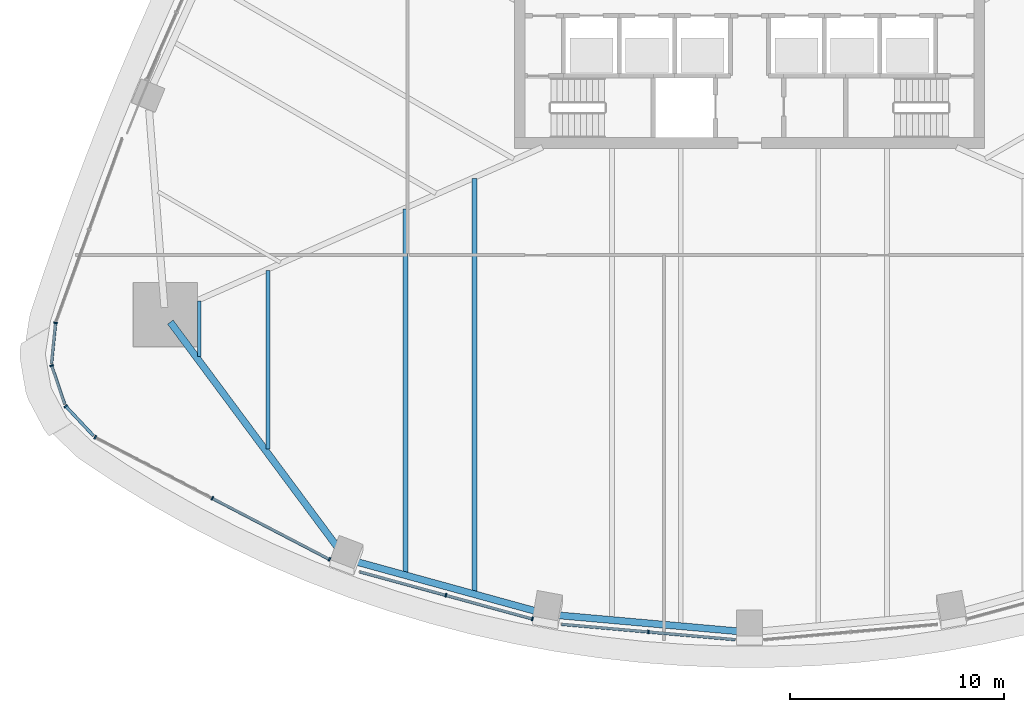
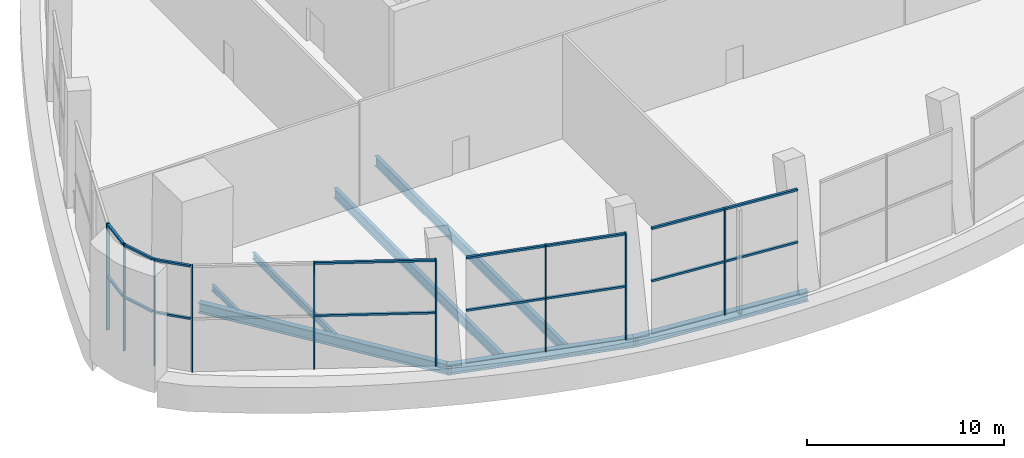
# One storey, part 2 of 23: 25 members, 7 beams, 6 elements without a shape of their own.
"""IFC4 building model written with IfcOpenShell, lengths in metres."""

from ifc_helpers import new_model, si_unit, direction, frame, origin, origin_2d, place, context, subcontext, project, spatial, rectangle, i_section, extrude, material, layer, layer_set, material_profile, profile_set, type_object, element, aggregate, save


model = new_model("IFC4")

# Units and contexts
model_context = context("Model", 3, precision=1e-05, world=origin(), true_north=direction((0.0, 1.0)))
body_context = subcontext(model_context, "Body", "Model", "MODEL_VIEW")
ifc_project = project(units=[si_unit("LENGTHUNIT", "METRE"), si_unit("AREAUNIT", "SQUARE_METRE"), si_unit("VOLUMEUNIT", "CUBIC_METRE"), si_unit("PLANEANGLEUNIT", "RADIAN"), si_unit("MASSUNIT", "GRAM", prefix="KILO")], contexts=[model_context])

# Site, building, storey
site_placement = place(None, origin())
site = spatial("IfcSite", under=ifc_project, at=site_placement, CompositionType="ELEMENT")
building_placement = place(site_placement, origin())
building = spatial("IfcBuilding", under=site, at=building_placement, Name="Sierra Prisma Convention Tower", CompositionType="ELEMENT")
storey_placement = place(building_placement, frame((0.0, 0.0, 40.800048828125)))
storey = spatial("IfcBuildingStorey", under=building, at=storey_placement, Name="L06", CompositionType="ELEMENT", Elevation=40.800048828125)

# Curtain wall, members
ifc_material_1 = material(Name="Aluminium and glass curtain wall", Category="aluminium")
ifc_layer = layer(ifc_material_1, 0.179931640625)
ifc_layer_set = layer_set([ifc_layer], Name="CW-4 Sky lobby double-height curtain wall")
curtain_wall_type = type_object("IfcCurtainWallType", Name="CW-4 Sky lobby double-height curtain wall", PredefinedType="NOTDEFINED", material=ifc_layer_set)
curtain_wall_1_placement = place(storey_placement, origin())
curtain_wall_1 = element("IfcCurtainWall", 1, at=curtain_wall_1_placement, inside=storey, type_object=curtain_wall_type, Name="CW-4 S1 L06", PredefinedType="NOTDEFINED")
ifc_material_2 = material(Name="Aluminium 6063-T6 bronze anodised", Category="aluminium")
ifc_material_profile_1 = material_profile(ifc_material_2, rectangle(XDim=0.179931640625, YDim=0.070068359375, at=origin_2d()), Name="ALU MULLION 70x180")
ifc_profile_set_1 = profile_set([ifc_material_profile_1], Name="Aluminium 6063-T6 bronze anodised")
member_type_1 = type_object("IfcMemberType", Name="CW mullion bronze", PredefinedType="MULLION", material=ifc_profile_set_1)
member_1_placement = place(storey_placement, frame((-30.617431640625, -21.523193359375, 0.0), z_axis=(0.0, 0.0, 1.0), x_axis=(0.462150644342, 0.886801433205, 0.0)))
member_1 = element("IfcMember", 2, at=member_1_placement, type_object=member_type_1, Name="CW-4 mullion S1.1", PredefinedType="MULLION", context=body_context, shape_type="SweptSolid", body=[
    extrude(rectangle(XDim=0.179931640625, YDim=0.070068359375, at=origin_2d()), origin(), (0.0, 0.0, 1.0), 6.599853515625),
])
member_2_placement = place(storey_placement, frame((-25.136474609375, -24.37939453125, 0.0), z_axis=(0.0, 0.0, 1.0), x_axis=(0.462150644342, 0.886801433205, 0.0)))
member_2 = element("IfcMember", 3, at=member_2_placement, type_object=member_type_1, Name="CW-4 mullion S1.2", PredefinedType="MULLION", context=body_context, shape_type="SweptSolid", body=[
    extrude(rectangle(XDim=0.179931640625, YDim=0.070068359375, at=origin_2d()), origin(), (0.0, 0.0, 1.0), 6.599853515625),
])
member_3_placement = place(storey_placement, frame((-19.655517578125, -27.23583984375, 0.0), z_axis=(0.0, 0.0, 1.0), x_axis=(0.462150644342, 0.886801433205, 0.0)))
member_3 = element("IfcMember", 4, at=member_3_placement, type_object=member_type_1, Name="CW-4 mullion S1.3", PredefinedType="MULLION", context=body_context, shape_type="SweptSolid", body=[
    extrude(rectangle(XDim=0.179931640625, YDim=0.070068359375, at=origin_2d()), origin(), (0.0, 0.0, 1.0), 6.599853515625),
])

curtain_wall_2_placement = place(storey_placement, origin())
curtain_wall_2 = element("IfcCurtainWall", 5, at=curtain_wall_2_placement, inside=storey, type_object=curtain_wall_type, Name="CW-4 S2 L06", PredefinedType="NOTDEFINED")
member_4_placement = place(storey_placement, frame((-14.2109375, -28.9169921875, 0.0), z_axis=(0.0, 0.0, 1.0), x_axis=(0.263456451003, 0.96467129035, 0.0)))
member_4 = element("IfcMember", 6, at=member_4_placement, type_object=member_type_1, Name="CW-4 mullion S2.2", PredefinedType="MULLION", context=body_context, shape_type="SweptSolid", body=[
    extrude(rectangle(XDim=0.179931640625, YDim=0.070068359375, at=origin_2d()), origin(), (0.0, 0.0, 1.0), 6.599853515625),
])
member_5_placement = place(storey_placement, frame((-10.161376953125, -30.02294921875, 0.0), z_axis=(0.0, 0.0, 1.0), x_axis=(0.263456451003, 0.96467129035, 0.0)))
member_5 = element("IfcMember", 7, at=member_5_placement, type_object=member_type_1, Name="CW-4 mullion S2.3", PredefinedType="MULLION", context=body_context, shape_type="SweptSolid", body=[
    extrude(rectangle(XDim=0.179931640625, YDim=0.070068359375, at=origin_2d()), origin(), (0.0, 0.0, 1.0), 6.599853515625),
])

# Curtain wall, member
curtain_wall_3_placement = place(storey_placement, origin())
curtain_wall_3 = element("IfcCurtainWall", 8, at=curtain_wall_3_placement, inside=storey, type_object=curtain_wall_type, Name="CW-4 S3 L06", PredefinedType="NOTDEFINED")
member_6_placement = place(storey_placement, frame((-4.728515625, -30.632568359375, 0.0), z_axis=(0.0, 0.0, 1.0), x_axis=(0.087925727556, 0.996127033281, 0.0)))
member_6 = element("IfcMember", 9, at=member_6_placement, type_object=member_type_1, Name="CW-4 mullion S3.2", PredefinedType="MULLION", context=body_context, shape_type="SweptSolid", body=[
    extrude(rectangle(XDim=0.179931640625, YDim=0.070068359375, at=origin_2d()), origin(), (0.0, 0.0, 1.0), 6.599853515625),
])

curtain_wall_4_placement = place(storey_placement, origin())
curtain_wall_4 = element("IfcCurtainWall", 10, at=curtain_wall_4_placement, inside=storey, type_object=curtain_wall_type, Name="CW-4 SW1 L06", PredefinedType="NOTDEFINED")
member_7_placement = place(storey_placement, frame((-32.474853515625, -16.169921875, 0.0), z_axis=(0.0, 0.0, 1.0), x_axis=(0.995059215605, -0.099283218322, 0.0)))
member_7 = element("IfcMember", 11, at=member_7_placement, type_object=member_type_1, Name="CW-4 mullion SW1.1", PredefinedType="MULLION", context=body_context, shape_type="SweptSolid", body=[
    extrude(rectangle(XDim=0.179931640625, YDim=0.070068359375, at=origin_2d()), origin(), (0.0, 0.0, 1.0), 6.599853515625),
])

curtain_wall_5_placement = place(storey_placement, origin())
curtain_wall_5 = element("IfcCurtainWall", 12, at=curtain_wall_5_placement, inside=storey, type_object=curtain_wall_type, Name="CW-4 SW2 L06", PredefinedType="NOTDEFINED")
member_8_placement = place(storey_placement, frame((-32.65966796875, -18.16943359375, 0.0), z_axis=(0.0, 0.0, 1.0), x_axis=(0.94695672394, 0.321361109945, 0.0)))
member_8 = element("IfcMember", 13, at=member_8_placement, type_object=member_type_1, Name="CW-4 mullion SW2.1", PredefinedType="MULLION", context=body_context, shape_type="SweptSolid", body=[
    extrude(rectangle(XDim=0.179931640625, YDim=0.070068359375, at=origin_2d()), origin(), (0.0, 0.0, 1.0), 6.599853515625),
])

curtain_wall_6_placement = place(storey_placement, origin())
curtain_wall_6 = element("IfcCurtainWall", 14, at=curtain_wall_6_placement, inside=storey, type_object=curtain_wall_type, Name="CW-4 SW3 L06", PredefinedType="NOTDEFINED")
member_9_placement = place(storey_placement, frame((-32.000732421875, -20.066162109375, 0.0), z_axis=(0.0, 0.0, 1.0), x_axis=(0.729107030671, 0.684399691573, 0.0)))
member_9 = element("IfcMember", 15, at=member_9_placement, type_object=member_type_1, Name="CW-4 mullion SW3.1", PredefinedType="MULLION", context=body_context, shape_type="SweptSolid", body=[
    extrude(rectangle(XDim=0.179931640625, YDim=0.070068359375, at=origin_2d()), origin(), (0.0, 0.0, 1.0), 6.599853515625),
])

# Member
ifc_material_3 = material(Name="Aluminium 6063-T6 bronze anodised", Category="aluminium")
ifc_material_profile_2 = material_profile(ifc_material_3, rectangle(XDim=0.139892578125, YDim=0.1201171875, at=origin_2d()), Name="ALU TRANSOM 120x140")
ifc_profile_set_2 = profile_set([ifc_material_profile_2], Name="Aluminium 6063-T6 bronze anodised")
member_type_2 = type_object("IfcMemberType", Name="CW transom bronze", PredefinedType="USERDEFINED", material=ifc_profile_set_2)
member_10_placement = place(storey_placement, frame((-25.10546875, -24.395751953125, 6.5400390625), z_axis=(0.886797765504, -0.462157682072, 0.0), x_axis=(0.462157682072, 0.886797765504, 0.0)))
member_10 = element("IfcMember", 16, at=member_10_placement, type_object=member_type_2, Name="CW-4 transom S1.2", ObjectType="TRANSOM", PredefinedType="USERDEFINED", context=body_context, shape_type="SweptSolid", body=[
    extrude(rectangle(XDim=0.139892578125, YDim=0.1201171875, at=origin_2d()), origin(), (0.0, 0.0, 1.0), 6.1103515625),
])

member_11_placement = place(storey_placement, frame((-25.10546875, -24.395751953125, 3.300048828125), z_axis=(0.886797765504, -0.462157682072, 0.0), x_axis=(0.462157682072, 0.886797765504, 0.0)))
member_11 = element("IfcMember", 17, at=member_11_placement, type_object=member_type_2, Name="CW-4 transom S1.2 mid", ObjectType="TRANSOM", PredefinedType="USERDEFINED", context=body_context, shape_type="SweptSolid", body=[
    extrude(rectangle(XDim=0.139892578125, YDim=0.1201171875, at=origin_2d()), origin(), (0.0, 0.0, 1.0), 6.1103515625),
])

aggregate(curtain_wall_1, [member_1, member_2, member_3, member_10, member_11])

member_12_placement = place(storey_placement, frame((-18.2265625, -27.8203125, 6.5400390625), z_axis=(0.964676413509, -0.263437691341, 0.0), x_axis=(0.263437691341, 0.964676413509, 0.0)))
member_12 = element("IfcMember", 18, at=member_12_placement, type_object=member_type_2, Name="CW-4 transom S2.1", ObjectType="TRANSOM", PredefinedType="USERDEFINED", context=body_context, shape_type="SweptSolid", body=[
    extrude(rectangle(XDim=0.139892578125, YDim=0.1201171875, at=origin_2d()), origin(), (0.0, 0.0, 1.0), 4.127685546875),
])

member_13_placement = place(storey_placement, frame((-18.2265625, -27.8203125, 3.300048828125), z_axis=(0.964676413509, -0.263437691341, 0.0), x_axis=(0.263437691341, 0.964676413509, 0.0)))
member_13 = element("IfcMember", 19, at=member_13_placement, type_object=member_type_2, Name="CW-4 transom S2.1 mid", ObjectType="TRANSOM", PredefinedType="USERDEFINED", context=body_context, shape_type="SweptSolid", body=[
    extrude(rectangle(XDim=0.139892578125, YDim=0.1201171875, at=origin_2d()), origin(), (0.0, 0.0, 1.0), 4.127685546875),
])

member_14_placement = place(storey_placement, frame((-14.17724609375, -28.926025390625, 6.5400390625), z_axis=(0.964665487214, -0.263477698825, 0.0), x_axis=(0.263477698825, 0.964665487214, 0.0)))
member_14 = element("IfcMember", 20, at=member_14_placement, type_object=member_type_2, Name="CW-4 transom S2.2", ObjectType="TRANSOM", PredefinedType="USERDEFINED", context=body_context, shape_type="SweptSolid", body=[
    extrude(rectangle(XDim=0.139892578125, YDim=0.1201171875, at=origin_2d()), origin(), (0.0, 0.0, 1.0), 4.1279296875),
])

member_15_placement = place(storey_placement, frame((-14.17724609375, -28.926025390625, 3.300048828125), z_axis=(0.964665487214, -0.263477698825, 0.0), x_axis=(0.263477698825, 0.964665487214, 0.0)))
member_15 = element("IfcMember", 21, at=member_15_placement, type_object=member_type_2, Name="CW-4 transom S2.2 mid", ObjectType="TRANSOM", PredefinedType="USERDEFINED", context=body_context, shape_type="SweptSolid", body=[
    extrude(rectangle(XDim=0.139892578125, YDim=0.1201171875, at=origin_2d()), origin(), (0.0, 0.0, 1.0), 4.1279296875),
])

aggregate(curtain_wall_2, [member_4, member_5, member_12, member_13, member_14, member_15])

member_16_placement = place(storey_placement, frame((-8.78955078125, -30.274169921875, 6.5400390625), z_axis=(0.996125026563, -0.087948459079, 0.0), x_axis=(0.087948459079, 0.996125026563, 0.0)))
member_16 = element("IfcMember", 22, at=member_16_placement, type_object=member_type_2, Name="CW-4 transom S3.1", ObjectType="TRANSOM", PredefinedType="USERDEFINED", context=body_context, shape_type="SweptSolid", body=[
    extrude(rectangle(XDim=0.139892578125, YDim=0.1201171875, at=origin_2d()), origin(), (0.0, 0.0, 1.0), 4.041748046875),
])

member_17_placement = place(storey_placement, frame((-8.78955078125, -30.274169921875, 3.300048828125), z_axis=(0.996125026563, -0.087948459079, 0.0), x_axis=(0.087948459079, 0.996125026563, 0.0)))
member_17 = element("IfcMember", 23, at=member_17_placement, type_object=member_type_2, Name="CW-4 transom S3.1 mid", ObjectType="TRANSOM", PredefinedType="USERDEFINED", context=body_context, shape_type="SweptSolid", body=[
    extrude(rectangle(XDim=0.139892578125, YDim=0.1201171875, at=origin_2d()), origin(), (0.0, 0.0, 1.0), 4.041748046875),
])

member_18_placement = place(storey_placement, frame((-4.693603515625, -30.6357421875, 6.5400390625), z_axis=(0.996125026563, -0.087948459079, 0.0), x_axis=(0.087948459079, 0.996125026563, 0.0)))
member_18 = element("IfcMember", 24, at=member_18_placement, type_object=member_type_2, Name="CW-4 transom S3.2", ObjectType="TRANSOM", PredefinedType="USERDEFINED", context=body_context, shape_type="SweptSolid", body=[
    extrude(rectangle(XDim=0.139892578125, YDim=0.1201171875, at=origin_2d()), origin(), (0.0, 0.0, 1.0), 4.041748046875),
])

member_19_placement = place(storey_placement, frame((-4.693603515625, -30.6357421875, 3.300048828125), z_axis=(0.996125026563, -0.087948459079, 0.0), x_axis=(0.087948459079, 0.996125026563, 0.0)))
member_19 = element("IfcMember", 25, at=member_19_placement, type_object=member_type_2, Name="CW-4 transom S3.2 mid", ObjectType="TRANSOM", PredefinedType="USERDEFINED", context=body_context, shape_type="SweptSolid", body=[
    extrude(rectangle(XDim=0.139892578125, YDim=0.1201171875, at=origin_2d()), origin(), (0.0, 0.0, 1.0), 4.041748046875),
])

aggregate(curtain_wall_3, [member_6, member_16, member_17, member_18, member_19])

member_20_placement = place(storey_placement, frame((-32.478271484375, -16.204833984375, 6.5400390625), z_axis=(-0.099297012278, -0.9950578392, 0.0), x_axis=(0.9950578392, -0.099297012278, 0.0)))
member_20 = element("IfcMember", 26, at=member_20_placement, type_object=member_type_2, Name="CW-4 transom SW1.1", ObjectType="TRANSOM", PredefinedType="USERDEFINED", context=body_context, shape_type="SweptSolid", body=[
    extrude(rectangle(XDim=0.139892578125, YDim=0.1201171875, at=origin_2d()), origin(), (0.0, 0.0, 1.0), 1.87109375),
])

member_21_placement = place(storey_placement, frame((-32.478271484375, -16.204833984375, 3.300048828125), z_axis=(-0.099297012278, -0.9950578392, 0.0), x_axis=(0.9950578392, -0.099297012278, 0.0)))
member_21 = element("IfcMember", 27, at=member_21_placement, type_object=member_type_2, Name="CW-4 transom SW1.1 mid", ObjectType="TRANSOM", PredefinedType="USERDEFINED", context=body_context, shape_type="SweptSolid", body=[
    extrude(rectangle(XDim=0.139892578125, YDim=0.1201171875, at=origin_2d()), origin(), (0.0, 0.0, 1.0), 1.87109375),
])

aggregate(curtain_wall_4, [member_7, member_20, member_21])

member_22_placement = place(storey_placement, frame((-32.6484375, -18.20263671875, 6.5400390625), z_axis=(0.321390374665, -0.946946792102, 0.0), x_axis=(0.946946792102, 0.321390374665, 0.0)))
member_22 = element("IfcMember", 28, at=member_22_placement, type_object=member_type_2, Name="CW-4 transom SW2.1", ObjectType="TRANSOM", PredefinedType="USERDEFINED", context=body_context, shape_type="SweptSolid", body=[
    extrude(rectangle(XDim=0.139892578125, YDim=0.1201171875, at=origin_2d()), origin(), (0.0, 0.0, 1.0), 1.87109375),
])

member_23_placement = place(storey_placement, frame((-32.6484375, -18.20263671875, 3.300048828125), z_axis=(0.321390374665, -0.946946792102, 0.0), x_axis=(0.946946792102, 0.321390374665, 0.0)))
member_23 = element("IfcMember", 29, at=member_23_placement, type_object=member_type_2, Name="CW-4 transom SW2.1 mid", ObjectType="TRANSOM", PredefinedType="USERDEFINED", context=body_context, shape_type="SweptSolid", body=[
    extrude(rectangle(XDim=0.139892578125, YDim=0.1201171875, at=origin_2d()), origin(), (0.0, 0.0, 1.0), 1.87109375),
])

aggregate(curtain_wall_5, [member_8, member_22, member_23])

member_24_placement = place(storey_placement, frame((-31.976806640625, -20.091796875, 6.5400390625), z_axis=(0.684375041664, -0.729130168316, 0.0), x_axis=(0.729130168316, 0.684375041664, 0.0)))
member_24 = element("IfcMember", 30, at=member_24_placement, type_object=member_type_2, Name="CW-4 transom SW3.1", ObjectType="TRANSOM", PredefinedType="USERDEFINED", context=body_context, shape_type="SweptSolid", body=[
    extrude(rectangle(XDim=0.139892578125, YDim=0.1201171875, at=origin_2d()), origin(), (0.0, 0.0, 1.0), 1.87109375),
])

member_25_placement = place(storey_placement, frame((-31.976806640625, -20.091796875, 3.300048828125), z_axis=(0.684375041664, -0.729130168316, 0.0), x_axis=(0.729130168316, 0.684375041664, 0.0)))
member_25 = element("IfcMember", 31, at=member_25_placement, type_object=member_type_2, Name="CW-4 transom SW3.1 mid", ObjectType="TRANSOM", PredefinedType="USERDEFINED", context=body_context, shape_type="SweptSolid", body=[
    extrude(rectangle(XDim=0.139892578125, YDim=0.1201171875, at=origin_2d()), origin(), (0.0, 0.0, 1.0), 1.87109375),
])

aggregate(curtain_wall_6, [member_9, member_24, member_25])

# Beams
ifc_material_4 = material(Name="Steel ASTM A992 Gr 50", Category="steel")
ifc_material_profile_3 = material_profile(ifc_material_4, i_section(OverallWidth=0.172119140625, OverallDepth=0.35791015625, WebThickness=0.0078125, FlangeThickness=0.01318359375, at=origin_2d()), Name="W360x57")
ifc_profile_set_3 = profile_set([ifc_material_profile_3], Name="Steel ASTM A992 Gr 50")
beam_type_1 = type_object("IfcBeamType", Name="Floor joist W360x57", PredefinedType="JOIST", material=ifc_profile_set_3)
beam_1_placement = place(storey_placement, frame((-25.74609375, -17.738037109375, -0.3291015625), z_axis=(0.0, 1.0, 0.0), x_axis=(-1.0, 0.0, 0.0)))
element("IfcBeam", 32, at=beam_1_placement, inside=storey, type_object=beam_type_1, Name="Floor joist L06 S01", PredefinedType="JOIST", context=body_context, shape_type="SweptSolid", body=[
    extrude(i_section(OverallWidth=0.172119140625, OverallDepth=0.35791015625, WebThickness=0.0078125, FlangeThickness=0.01318359375, at=origin_2d()), origin(), (0.0, 0.0, 1.0), 2.600830078125),
])
ifc_material_5 = material(Name="Steel ASTM A992 Gr 50", Category="steel")
ifc_material_profile_4 = material_profile(ifc_material_5, i_section(OverallWidth=0.177978515625, OverallDepth=0.406982421875, WebThickness=0.0078125, FlangeThickness=0.0126953125, at=origin_2d()), Name="W410x60")
ifc_profile_set_4 = profile_set([ifc_material_profile_4], Name="Steel ASTM A992 Gr 50")
beam_type_2 = type_object("IfcBeamType", Name="Floor joist W410x60", PredefinedType="JOIST", material=ifc_profile_set_4)
beam_2_placement = place(storey_placement, frame((-22.52783203125, -22.072021484375, -0.353515625), z_axis=(0.0, 1.0, 0.0), x_axis=(-1.0, 0.0, 0.0)))
element("IfcBeam", 33, at=beam_2_placement, inside=storey, type_object=beam_type_2, Name="Floor joist L06 S02", PredefinedType="JOIST", context=body_context, shape_type="SweptSolid", body=[
    extrude(i_section(OverallWidth=0.177978515625, OverallDepth=0.406982421875, WebThickness=0.0078125, FlangeThickness=0.0126953125, at=origin_2d()), origin(), (0.0, 0.0, 1.0), 8.363525390625),
])
ifc_material_6 = material(Name="Steel ASTM A992 Gr 50", Category="steel")
ifc_material_profile_5 = material_profile(ifc_material_6, i_section(OverallWidth=0.22802734375, OverallDepth=0.60302734375, WebThickness=0.010498046875, FlangeThickness=0.014892578125, at=origin_2d()), Name="W610x101")
ifc_profile_set_5 = profile_set([ifc_material_profile_5], Name="Steel ASTM A992 Gr 50")
beam_type_3 = type_object("IfcBeamType", Name="Floor joist W610x101", PredefinedType="JOIST", material=ifc_profile_set_5)
beam_3_placement = place(storey_placement, frame((-16.09130859375, -27.86376953125, -0.45166015625), z_axis=(0.0, 1.0, 0.0), x_axis=(-1.0, 0.0, 0.0)))
element("IfcBeam", 34, at=beam_3_placement, inside=storey, type_object=beam_type_3, Name="Floor joist L06 S04", PredefinedType="JOIST", context=body_context, shape_type="SweptSolid", body=[
    extrude(i_section(OverallWidth=0.22802734375, OverallDepth=0.60302734375, WebThickness=0.010498046875, FlangeThickness=0.014892578125, at=origin_2d()), origin(), (0.0, 0.0, 1.0), 17.012939453125),
])
beam_4_placement = place(storey_placement, frame((-12.873046875, -28.749755859375, -0.45166015625), z_axis=(0.0, 1.0, 0.0), x_axis=(-1.0, 0.0, 0.0)))
element("IfcBeam", 35, at=beam_4_placement, inside=storey, type_object=beam_type_3, Name="Floor joist L06 S05", PredefinedType="JOIST", context=body_context, shape_type="SweptSolid", body=[
    extrude(i_section(OverallWidth=0.22802734375, OverallDepth=0.60302734375, WebThickness=0.010498046875, FlangeThickness=0.014892578125, at=origin_2d()), origin(), (0.0, 0.0, 1.0), 19.32763671875),
])
ifc_material_7 = material(Name="Steel ASTM A992 Gr 50", Category="steel")
ifc_material_profile_6 = material_profile(ifc_material_7, i_section(OverallWidth=0.324951171875, OverallDepth=0.615966796875, WebThickness=0.013916015625, FlangeThickness=0.021484375, at=origin_2d()), Name="W610x174")
ifc_profile_set_6 = profile_set([ifc_material_profile_6], Name="Steel ASTM A992 Gr 50")
beam_type_4 = type_object("IfcBeamType", Name="Spandrel beam W610x174", PredefinedType="BEAM", material=ifc_profile_set_6)
beam_5_placement = place(storey_placement, frame((-27.1025390625, -16.133544921875, -0.4580078125), z_axis=(0.596160965939, -0.802864934277, 0.0), x_axis=(0.802864934277, 0.596160965939, 0.0)))
element("IfcBeam", 36, at=beam_5_placement, inside=storey, type_object=beam_type_4, Name="Spandrel L06-01", PredefinedType="BEAM", context=body_context, shape_type="SweptSolid", body=[
    extrude(i_section(OverallWidth=0.324951171875, OverallDepth=0.615966796875, WebThickness=0.013916015625, FlangeThickness=0.021484375, at=origin_2d()), origin(), (0.0, 0.0, 1.0), 13.924072265625),
])
beam_6_placement = place(storey_placement, frame((-18.98876953125, -27.1845703125, -0.4580078125), z_axis=(0.964123631816, -0.265453616615, 0.0), x_axis=(0.265453616615, 0.964123631816, 0.0)))
element("IfcBeam", 37, at=beam_6_placement, inside=storey, type_object=beam_type_4, Name="Spandrel L06-02", PredefinedType="BEAM", context=body_context, shape_type="SweptSolid", body=[
    extrude(i_section(OverallWidth=0.324951171875, OverallDepth=0.615966796875, WebThickness=0.013916015625, FlangeThickness=0.021484375, at=origin_2d()), origin(), (0.0, 0.0, 1.0), 10.00634765625),
])
beam_7_placement = place(storey_placement, frame((-9.576416015625, -29.79833984375, -0.4580078125), z_axis=(0.996068707455, -0.088584028068, 0.0), x_axis=(0.088584028068, 0.996068707455, 0.0)))
element("IfcBeam", 38, at=beam_7_placement, inside=storey, type_object=beam_type_4, Name="Spandrel L06-03", PredefinedType="BEAM", context=body_context, shape_type="SweptSolid", body=[
    extrude(i_section(OverallWidth=0.324951171875, OverallDepth=0.615966796875, WebThickness=0.013916015625, FlangeThickness=0.021484375, at=origin_2d()), origin(), (0.0, 0.0, 1.0), 9.734375),
])

save(model, "model.ifc")
